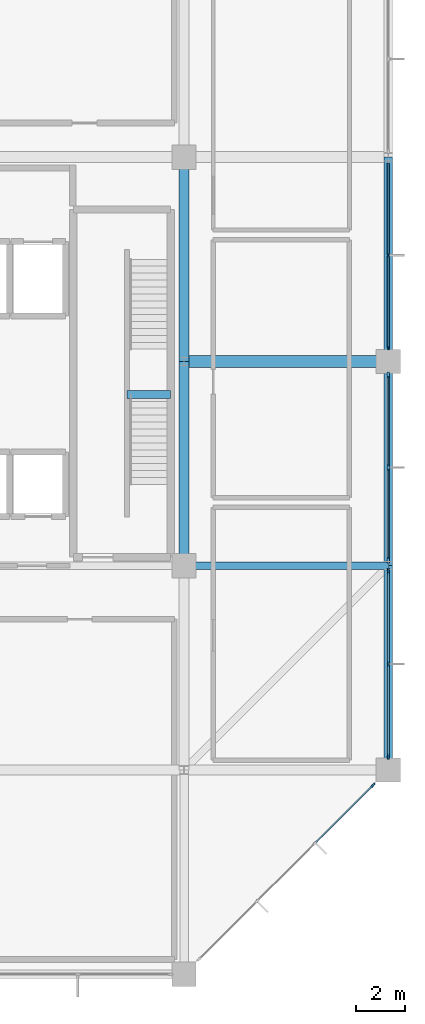
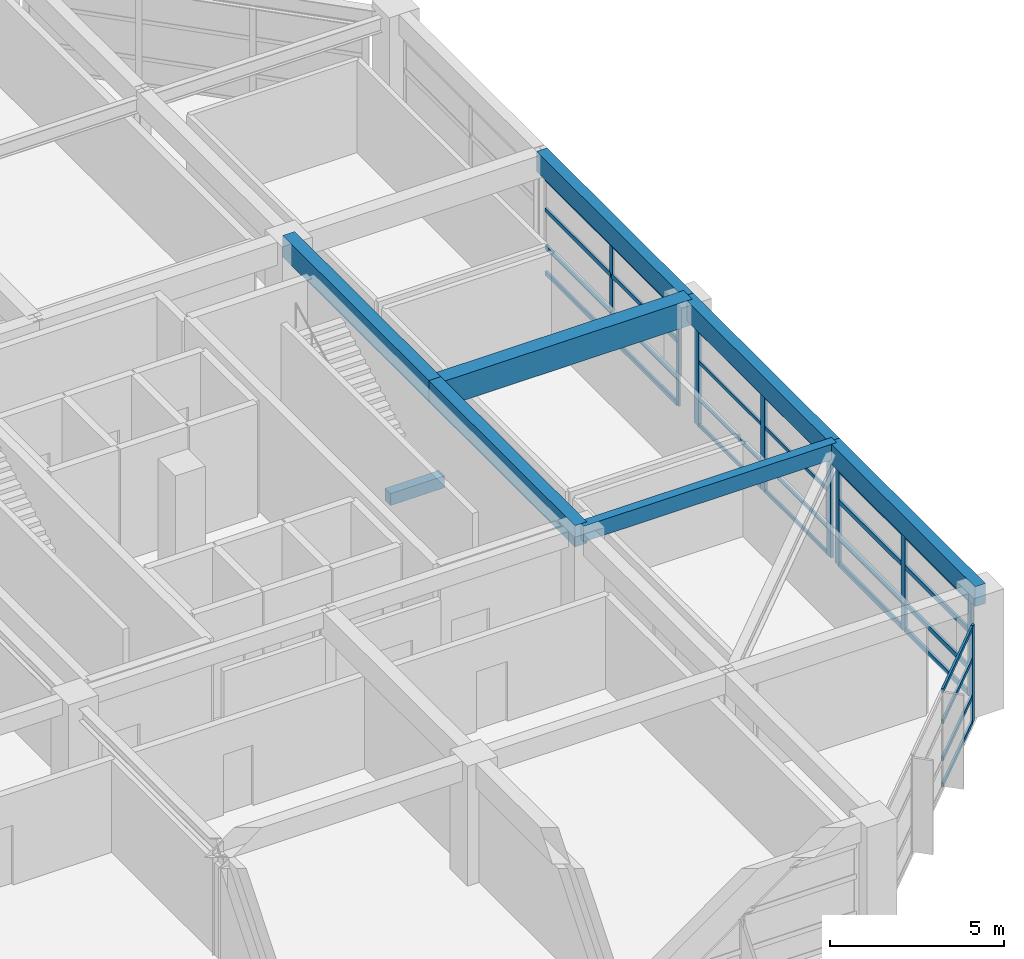
# One storey, part 6 of 15: 37 members, 8 beams, 4 elements without a shape of their own.
"""IFC4 building model written with IfcOpenShell, lengths in metres."""

import ifcopenshell
import ifcopenshell.guid

model = None  # the IFC model being written
_history = None  # IfcOwnerHistory: only IFC2X3 demands one
_inside = {}  # id of a spatial element -> (the spatial element, [elements in it])
_under = {}  # id of a project, library or spatial element -> (it, [spatial elements below it])
_declared = {}  # id of a project -> (the project, [libraries it declares])
_typed = {}  # id of a type object -> (the type object, [elements of that type])
_made_of = {}  # id of a material, layer set ... -> (it, [elements and type objects made of it])


def new_model(schema):
    """Start an empty IFC model of exactly this schema.

    Asked for "IFC4X3", IfcOpenShell would pick the latest addendum, in which some entities
    have other attributes; the version numbers below select the first issue.
    IFC2X3 requires an IfcOwnerHistory on every rooted entity: one is made here for all.
    """
    global model, _history
    if schema == "IFC4X3":
        model = ifcopenshell.file(schema_version=(4, 3, 0, 0))
    else:
        model = ifcopenshell.file(schema=schema)
    _inside.clear()
    _under.clear()
    _declared.clear()
    _typed.clear()
    _made_of.clear()
    _history = None
    if model.schema == "IFC2X3":
        org = make("IfcOrganization", Name="unknown")
        user = make(
            "IfcPersonAndOrganization",
            ThePerson=make("IfcPerson", FamilyName="unknown"),
            TheOrganization=org,
        )
        app = make(
            "IfcApplication",
            ApplicationDeveloper=org,
            Version="unknown",
            ApplicationFullName="unknown",
            ApplicationIdentifier="unknown",
        )
        _history = make(
            "IfcOwnerHistory",
            OwningUser=user,
            OwningApplication=app,
            ChangeAction="ADDED",
            CreationDate=0,
        )
    return model


def make(cls, **values):
    """One entity of the class cls with the attributes given. An attribute that is None is left unset."""
    return model.create_entity(
        cls, **{name: value for name, value in values.items() if value is not None}
    )


def rooted(cls, **values):
    """An entity with a GlobalId (a new one), such as an element, a storey or a relation."""
    return make(cls, GlobalId=ifcopenshell.guid.new(), OwnerHistory=_history, **values)


def si_unit(unit_type, name, prefix=None):
    """IfcSIUnit, for example si_unit("LENGTHUNIT", "METRE", prefix="MILLI")."""
    return make("IfcSIUnit", UnitType=unit_type, Prefix=prefix, Name=name)


def assignment(units):
    """IfcUnitAssignment: the units of a project."""
    return None if units is None else make("IfcUnitAssignment", Units=units)


def point(xyz):
    """IfcCartesianPoint."""
    return None if xyz is None else make("IfcCartesianPoint", Coordinates=xyz)


def direction(xyz):
    """IfcDirection."""
    return None if xyz is None else make("IfcDirection", DirectionRatios=xyz)


def frame(location, z_axis=None, x_axis=None):
    """IfcAxis2Placement3D, a coordinate frame: its origin and axes. An axis left out is left unset."""
    return make(
        "IfcAxis2Placement3D",
        Location=point(location),
        Axis=direction(z_axis),
        RefDirection=direction(x_axis),
    )


def frame_2d(location, x_axis=None):
    """IfcAxis2Placement2D, a coordinate frame in the plane: its origin and x axis."""
    return make(
        "IfcAxis2Placement2D", Location=point(location), RefDirection=direction(x_axis)
    )


def origin():
    """The frame at (0, 0, 0) with its axes left unset."""
    return frame((0.0, 0.0, 0.0))


def origin_2d():
    """The frame at (0, 0) in the plane with its x axis left unset."""
    return frame_2d((0.0, 0.0))


def place(relative_to, where):
    """IfcLocalPlacement: puts the frame where relative to a parent placement (None: the world)."""
    return make(
        "IfcLocalPlacement", PlacementRelTo=relative_to, RelativePlacement=where
    )


def context(
    kind, dimensions, precision=None, world=None, true_north=None, identifier=None
):
    """IfcGeometricRepresentationContext, for example the 3D "Model" context."""
    return make(
        "IfcGeometricRepresentationContext",
        ContextIdentifier=identifier,
        ContextType=kind,
        CoordinateSpaceDimension=dimensions,
        Precision=precision,
        WorldCoordinateSystem=world,
        TrueNorth=true_north,
    )


def subcontext(parent, identifier, kind, view, scale=None):
    """IfcGeometricRepresentationSubContext, for example "Body" below "Model"."""
    return make(
        "IfcGeometricRepresentationSubContext",
        ContextIdentifier=identifier,
        ContextType=kind,
        ParentContext=parent,
        TargetScale=scale,
        TargetView=view,
    )


def project(units=None, contexts=None):
    """IfcProject with its units and contexts."""
    return rooted(
        "IfcProject",
        Name="project",
        RepresentationContexts=contexts,
        UnitsInContext=assignment(units),
    )


def spatial(cls, under=None, at=None, **own):
    """A site, building, storey or space (cls), placed at a placement, below another one or the project."""
    s = rooted(cls, ObjectPlacement=at, **own)
    if under is not None:
        _under.setdefault(under.id(), (under, []))[1].append(s)
    return s


def profile(cls, at=None, kind="AREA", **sizes):
    """A parametric profile (cls). Its sizes go by their IFC names, for example OverallWidth=200.0."""
    return make(cls, ProfileType=kind, Position=at, **sizes)


def rectangle(**sizes):
    """IfcRectangleProfileDef."""
    return profile("IfcRectangleProfileDef", **sizes)


def extrude(swept, where, along, depth):
    """IfcExtrudedAreaSolid: the profile swept, set in the frame where, extruded along a direction by depth."""
    return make(
        "IfcExtrudedAreaSolid",
        SweptArea=swept,
        Position=where,
        ExtrudedDirection=direction(along),
        Depth=depth,
    )


def shape(context_of_items, identifier, shape_type, items):
    """IfcShapeRepresentation: the items that make up one representation, for example the "Body"."""
    return make(
        "IfcShapeRepresentation",
        ContextOfItems=context_of_items,
        RepresentationIdentifier=identifier,
        RepresentationType=shape_type,
        Items=items,
    )


def material(Name=None, Category=None):
    """IfcMaterial."""
    return make("IfcMaterial", Name=Name, Category=Category)


def material_profile(
    of_material, cross_section, Name=None, Category=None, Priority=None
):
    """IfcMaterialProfile: a cross section and its material."""
    return make(
        "IfcMaterialProfile",
        Name=Name,
        Material=of_material,
        Profile=cross_section,
        Priority=Priority,
        Category=Category,
    )


def profile_set(profiles, Name=None, composite=None):
    """IfcMaterialProfileSet."""
    return make(
        "IfcMaterialProfileSet",
        Name=Name,
        MaterialProfiles=profiles,
        CompositeProfile=composite,
    )


def made_of(thing, what):
    """Note that an element or type object is made of a material, layer set ...; save() writes the relation."""
    if what is not None:
        _made_of.setdefault(what.id(), (what, []))[1].append(thing)
    return thing


def type_object(cls, material=None, **own):
    """A type object (cls), such as IfcWallType, which elements share."""
    return made_of(rooted(cls, **own), material)


def element(
    cls,
    number,
    at=None,
    inside=None,
    cuts=None,
    type_object=None,
    material=None,
    context=None,
    identifier="Body",
    shape_type=None,
    held_by="IfcProductDefinitionShape",
    body=None,
    shapes=None,
    **own,
):
    """One element of the class cls, such as IfcWall. Its Tag is "e" and its number.

    at: its placement. inside: the storey or other place that contains it. cuts: it is an
    opening in that element (IfcRelVoidsElement). A single representation is given by context,
    identifier, shape_type and body (its items); several are given by shapes. held_by: the class
    of the entity that holds the representations. save() writes the other relations.
    """
    e = rooted(cls, Tag="e%d" % number, ObjectPlacement=at, **own)
    if body is not None:
        shapes = [shape(context, identifier, shape_type, body)]
    if shapes is not None:
        e.Representation = make(held_by, Representations=shapes)
    if inside is not None:
        _inside.setdefault(inside.id(), (inside, []))[1].append(e)
    if cuts is not None:
        rooted(
            "IfcRelVoidsElement", RelatingBuildingElement=cuts, RelatedOpeningElement=e
        )
    if type_object is not None:
        _typed.setdefault(type_object.id(), (type_object, []))[1].append(e)
    return made_of(e, material)


def aggregate(whole, parts):
    """IfcRelAggregates: a whole, such as a stair, and the parts it consists of."""
    return rooted("IfcRelAggregates", RelatingObject=whole, RelatedObjects=parts)


def save(model, path):
    """Write the relations noted so far, then the file.

    IfcRelAggregates (storeys below a building ...), IfcRelContainedInSpatialStructure (elements
    in a storey), IfcRelDefinesByType, IfcRelAssociatesMaterial and IfcRelDeclares: one each for
    every whole, place, type object, material and project.
    """
    for whole, parts in _under.values():
        aggregate(whole, parts)
    for where, things in _inside.values():
        rooted(
            "IfcRelContainedInSpatialStructure",
            RelatedElements=things,
            RelatingStructure=where,
        )
    for kind, things in _typed.values():
        rooted("IfcRelDefinesByType", RelatedObjects=things, RelatingType=kind)
    for what, things in _made_of.values():
        rooted("IfcRelAssociatesMaterial", RelatedObjects=things, RelatingMaterial=what)
    for by, libraries in _declared.values():
        rooted("IfcRelDeclares", RelatingContext=by, RelatedDefinitions=libraries)
    model.write(path)


model = new_model("IFC4")

# Units and contexts
model_context = context("Model", 3, precision=1e-05, world=origin(), true_north=direction((0.0, 1.0)))
body_context = subcontext(model_context, "Body", "Model", "MODEL_VIEW")
ifc_project = project(units=[si_unit("LENGTHUNIT", "METRE"), si_unit("AREAUNIT", "SQUARE_METRE"), si_unit("VOLUMEUNIT", "CUBIC_METRE"), si_unit("PLANEANGLEUNIT", "RADIAN"), si_unit("MASSUNIT", "GRAM", prefix="KILO")], contexts=[model_context])

# Site, building, storey
site_placement = place(None, origin())
site = spatial("IfcSite", under=ifc_project, at=site_placement, CompositionType="ELEMENT")
building_placement = place(site_placement, origin())
building = spatial("IfcBuilding", under=site, at=building_placement, Name="Xuanlan Plaza Opera House", CompositionType="ELEMENT")
storey_placement = place(building_placement, frame((0.0, 0.0, 53.10009765625)))
storey = spatial("IfcBuildingStorey", under=building, at=storey_placement, Name="L12", CompositionType="ELEMENT", Elevation=53.10009765625)

# Curtain wall, members
ifc_material_1 = material(Name="Anodised Aluminium 6063-T6 and Low-E Glass", Category="aluminium")
curtain_wall_type_1 = type_object("IfcCurtainWallType", Name="ENV-CW-CW-01", PredefinedType="USERDEFINED", material=ifc_material_1)
curtain_wall_1_placement = place(storey_placement, origin())
curtain_wall_1 = element("IfcCurtainWall", 1, at=curtain_wall_1_placement, inside=storey, type_object=curtain_wall_type_1, Name="Unitised Curtain Wall L12-007", ObjectType="UNITISED CURTAIN WALL", PredefinedType="USERDEFINED")
ifc_material_2 = material(Name="Anodised Aluminium 6063-T6", Category="aluminium")
ifc_material_profile_1 = material_profile(ifc_material_2, rectangle(XDim=0.06494140625, YDim=0.159912109375, at=origin_2d()), Name="ALU-M 65x160")
ifc_profile_set_1 = profile_set([ifc_material_profile_1], Name="Anodised Aluminium 6063-T6")
member_type_1 = type_object("IfcMemberType", Name="ENV-CWM-01", PredefinedType="MULLION", material=ifc_profile_set_1)
member_1_placement = place(storey_placement, frame((159.60009765625, 59.3525390625, 0.0), z_axis=(0.0, 0.0, 1.0), x_axis=(-1.0, 0.0, 0.0)))
member_1 = element("IfcMember", 2, at=member_1_placement, type_object=member_type_1, Name="CW-01 mullion 1", PredefinedType="MULLION", context=body_context, shape_type="SweptSolid", body=[
    extrude(rectangle(XDim=0.06494140625, YDim=0.159912109375, at=origin_2d()), origin(), (0.0, 0.0, 1.0), 3.3798828125),
])
member_2_placement = place(storey_placement, frame((159.60009765625, 63.16259765625, 0.0), z_axis=(0.0, 0.0, 1.0), x_axis=(-1.0, 0.0, 0.0)))
member_2 = element("IfcMember", 3, at=member_2_placement, type_object=member_type_1, Name="CW-01 mullion 2", PredefinedType="MULLION", context=body_context, shape_type="SweptSolid", body=[
    extrude(rectangle(XDim=0.06494140625, YDim=0.159912109375, at=origin_2d()), origin(), (0.0, 0.0, 1.0), 3.3798828125),
])

# Curtain wall, member
curtain_wall_type_2 = type_object("IfcCurtainWallType", Name="ENV-CW-CW-02", PredefinedType="USERDEFINED", material=ifc_material_1)
curtain_wall_2_placement = place(storey_placement, origin())
curtain_wall_2 = element("IfcCurtainWall", 4, at=curtain_wall_2_placement, inside=storey, type_object=curtain_wall_type_2, Name="Unitised Curtain Wall L12-004", ObjectType="UNITISED CURTAIN WALL", PredefinedType="USERDEFINED")
ifc_material_profile_2 = material_profile(ifc_material_2, rectangle(XDim=0.074951171875, YDim=0.199951171875, at=origin_2d()), Name="ALU-M 75x200")
ifc_profile_set_2 = profile_set([ifc_material_profile_2], Name="Anodised Aluminium 6063-T6")
member_type_2 = type_object("IfcMemberType", Name="ENV-CWM-03", PredefinedType="MULLION", material=ifc_profile_set_2)
member_3_placement = place(storey_placement, frame((158.974365234375, 41.37451171875, 0.0), z_axis=(0.0, 0.0, 1.0), x_axis=(-0.707106781187, 0.707106781187, 0.0)))
member_3 = element("IfcMember", 5, at=member_3_placement, type_object=member_type_2, Name="CW-02 mullion 4", PredefinedType="MULLION", context=body_context, shape_type="SweptSolid", body=[
    extrude(rectangle(XDim=0.074951171875, YDim=0.199951171875, at=origin_2d()), origin(), (0.0, 0.0, 1.0), 3.3798828125),
])

# Curtain wall, members
curtain_wall_type_3 = type_object("IfcCurtainWallType", Name="ENV-CW-CW-03", PredefinedType="USERDEFINED", material=ifc_material_1)
curtain_wall_3_placement = place(storey_placement, origin())
curtain_wall_3 = element("IfcCurtainWall", 6, at=curtain_wall_3_placement, inside=storey, type_object=curtain_wall_type_3, Name="Unitised Curtain Wall L12-005", ObjectType="UNITISED CURTAIN WALL", PredefinedType="USERDEFINED")
ifc_material_profile_3 = material_profile(ifc_material_2, rectangle(XDim=0.080078125, YDim=0.219970703125, at=origin_2d()), Name="ALU-M 80x220")
ifc_profile_set_3 = profile_set([ifc_material_profile_3], Name="Anodised Aluminium 6063-T6")
member_type_3 = type_object("IfcMemberType", Name="ENV-CWM-04", PredefinedType="MULLION", material=ifc_profile_set_3)
member_4_placement = place(storey_placement, frame((159.60009765625, 42.56005859375, 0.0), z_axis=(0.0, 0.0, 1.0), x_axis=(-1.0, 0.0, 0.0)))
member_4 = element("IfcMember", 7, at=member_4_placement, type_object=member_type_3, Name="CW-03 mullion 1", PredefinedType="MULLION", context=body_context, shape_type="SweptSolid", body=[
    extrude(rectangle(XDim=0.080078125, YDim=0.219970703125, at=origin_2d()), origin(), (0.0, 0.0, 1.0), 3.3798828125),
])
member_5_placement = place(storey_placement, frame((159.60009765625, 46.362548828125, 0.0), z_axis=(0.0, 0.0, 1.0), x_axis=(-1.0, 0.0, 0.0)))
member_5 = element("IfcMember", 8, at=member_5_placement, type_object=member_type_3, Name="CW-03 mullion 2", PredefinedType="MULLION", context=body_context, shape_type="SweptSolid", body=[
    extrude(rectangle(XDim=0.080078125, YDim=0.219970703125, at=origin_2d()), origin(), (0.0, 0.0, 1.0), 3.3798828125),
])
member_6_placement = place(storey_placement, frame((159.60009765625, 50.1650390625, 0.0), z_axis=(0.0, 0.0, 1.0), x_axis=(-1.0, 0.0, 0.0)))
member_6 = element("IfcMember", 9, at=member_6_placement, type_object=member_type_3, Name="CW-03 mullion 3", PredefinedType="MULLION", context=body_context, shape_type="SweptSolid", body=[
    extrude(rectangle(XDim=0.080078125, YDim=0.219970703125, at=origin_2d()), origin(), (0.0, 0.0, 1.0), 3.3798828125),
])

curtain_wall_type_4 = type_object("IfcCurtainWallType", Name="ENV-CW-CW-04", PredefinedType="USERDEFINED", material=ifc_material_1)
curtain_wall_4_placement = place(storey_placement, origin())
curtain_wall_4 = element("IfcCurtainWall", 10, at=curtain_wall_4_placement, inside=storey, type_object=curtain_wall_type_4, Name="Unitised Curtain Wall L12-006", ObjectType="UNITISED CURTAIN WALL", PredefinedType="USERDEFINED")
ifc_material_profile_4 = material_profile(ifc_material_2, rectangle(XDim=0.090087890625, YDim=0.25, at=origin_2d()), Name="ALU-M 90x250")
ifc_profile_set_4 = profile_set([ifc_material_profile_4], Name="Anodised Aluminium 6063-T6")
member_type_4 = type_object("IfcMemberType", Name="ENV-CWM-05", PredefinedType="MULLION", material=ifc_profile_set_4)
member_7_placement = place(storey_placement, frame((159.60009765625, 50.639892578125, 0.0), z_axis=(0.0, 0.0, 1.0), x_axis=(-1.0, 0.0, 0.0)))
member_7 = element("IfcMember", 11, at=member_7_placement, type_object=member_type_4, Name="CW-04 mullion 1", PredefinedType="MULLION", context=body_context, shape_type="SweptSolid", body=[
    extrude(rectangle(XDim=0.090087890625, YDim=0.25, at=origin_2d()), origin(), (0.0, 0.0, 1.0), 3.3798828125),
])
member_8_placement = place(storey_placement, frame((159.60009765625, 54.4375, 0.0), z_axis=(0.0, 0.0, 1.0), x_axis=(-1.0, 0.0, 0.0)))
member_8 = element("IfcMember", 12, at=member_8_placement, type_object=member_type_4, Name="CW-04 mullion 2", PredefinedType="MULLION", context=body_context, shape_type="SweptSolid", body=[
    extrude(rectangle(XDim=0.090087890625, YDim=0.25, at=origin_2d()), origin(), (0.0, 0.0, 1.0), 3.3798828125),
])
member_9_placement = place(storey_placement, frame((159.60009765625, 58.235107421875, 0.0), z_axis=(0.0, 0.0, 1.0), x_axis=(-1.0, 0.0, 0.0)))
member_9 = element("IfcMember", 13, at=member_9_placement, type_object=member_type_4, Name="CW-04 mullion 3", PredefinedType="MULLION", context=body_context, shape_type="SweptSolid", body=[
    extrude(rectangle(XDim=0.090087890625, YDim=0.25, at=origin_2d()), origin(), (0.0, 0.0, 1.0), 3.3798828125),
])
ifc_material_profile_5 = material_profile(ifc_material_2, rectangle(XDim=0.06494140625, YDim=0.1201171875, at=origin_2d()), Name="ALU-T 65x120")
ifc_profile_set_5 = profile_set([ifc_material_profile_5], Name="Anodised Aluminium 6063-T6")
member_type_5 = type_object("IfcMemberType", Name="ENV-CWT-01", PredefinedType="USERDEFINED", material=ifc_profile_set_5)
member_10_placement = place(storey_placement, frame((159.60009765625, 50.68505859375, 0.032470703125), z_axis=(0.0, 1.0, 0.0), x_axis=(-1.0, 0.0, 0.0)))
member_10 = element("IfcMember", 14, at=member_10_placement, type_object=member_type_5, Name="CW-04 transom 1.1", ObjectType="TRANSOM", PredefinedType="USERDEFINED", context=body_context, shape_type="SweptSolid", body=[
    extrude(rectangle(XDim=0.06494140625, YDim=0.1201171875, at=origin_2d()), origin(), (0.0, 0.0, 1.0), 3.70751953125),
])
member_11_placement = place(storey_placement, frame((159.60009765625, 50.68505859375, 0.949951171875), z_axis=(0.0, 1.0, 0.0), x_axis=(-1.0, 0.0, 0.0)))
member_11 = element("IfcMember", 15, at=member_11_placement, type_object=member_type_5, Name="CW-04 transom 1.2", ObjectType="TRANSOM", PredefinedType="USERDEFINED", context=body_context, shape_type="SweptSolid", body=[
    extrude(rectangle(XDim=0.06494140625, YDim=0.1201171875, at=origin_2d()), origin(), (0.0, 0.0, 1.0), 3.70751953125),
])
member_12_placement = place(storey_placement, frame((159.60009765625, 50.68505859375, 2.25), z_axis=(0.0, 1.0, 0.0), x_axis=(-1.0, 0.0, 0.0)))
member_12 = element("IfcMember", 16, at=member_12_placement, type_object=member_type_5, Name="CW-04 transom 1.3", ObjectType="TRANSOM", PredefinedType="USERDEFINED", context=body_context, shape_type="SweptSolid", body=[
    extrude(rectangle(XDim=0.06494140625, YDim=0.1201171875, at=origin_2d()), origin(), (0.0, 0.0, 1.0), 3.70751953125),
])
member_13_placement = place(storey_placement, frame((159.60009765625, 50.68505859375, 3.347412109375), z_axis=(0.0, 1.0, 0.0), x_axis=(-1.0, 0.0, 0.0)))
member_13 = element("IfcMember", 17, at=member_13_placement, type_object=member_type_5, Name="CW-04 transom 1.4", ObjectType="TRANSOM", PredefinedType="USERDEFINED", context=body_context, shape_type="SweptSolid", body=[
    extrude(rectangle(XDim=0.06494140625, YDim=0.1201171875, at=origin_2d()), origin(), (0.0, 0.0, 1.0), 3.70751953125),
])
member_14_placement = place(storey_placement, frame((159.60009765625, 54.482421875, 0.032470703125), z_axis=(0.0, 1.0, 0.0), x_axis=(-1.0, 0.0, 0.0)))
member_14 = element("IfcMember", 18, at=member_14_placement, type_object=member_type_5, Name="CW-04 transom 2.1", ObjectType="TRANSOM", PredefinedType="USERDEFINED", context=body_context, shape_type="SweptSolid", body=[
    extrude(rectangle(XDim=0.06494140625, YDim=0.1201171875, at=origin_2d()), origin(), (0.0, 0.0, 1.0), 3.70751953125),
])
member_15_placement = place(storey_placement, frame((159.60009765625, 54.482421875, 0.949951171875), z_axis=(0.0, 1.0, 0.0), x_axis=(-1.0, 0.0, 0.0)))
member_15 = element("IfcMember", 19, at=member_15_placement, type_object=member_type_5, Name="CW-04 transom 2.2", ObjectType="TRANSOM", PredefinedType="USERDEFINED", context=body_context, shape_type="SweptSolid", body=[
    extrude(rectangle(XDim=0.06494140625, YDim=0.1201171875, at=origin_2d()), origin(), (0.0, 0.0, 1.0), 3.70751953125),
])
member_16_placement = place(storey_placement, frame((159.60009765625, 54.482421875, 2.25), z_axis=(0.0, 1.0, 0.0), x_axis=(-1.0, 0.0, 0.0)))
member_16 = element("IfcMember", 20, at=member_16_placement, type_object=member_type_5, Name="CW-04 transom 2.3", ObjectType="TRANSOM", PredefinedType="USERDEFINED", context=body_context, shape_type="SweptSolid", body=[
    extrude(rectangle(XDim=0.06494140625, YDim=0.1201171875, at=origin_2d()), origin(), (0.0, 0.0, 1.0), 3.70751953125),
])
member_17_placement = place(storey_placement, frame((159.60009765625, 54.482421875, 3.347412109375), z_axis=(0.0, 1.0, 0.0), x_axis=(-1.0, 0.0, 0.0)))
member_17 = element("IfcMember", 21, at=member_17_placement, type_object=member_type_5, Name="CW-04 transom 2.4", ObjectType="TRANSOM", PredefinedType="USERDEFINED", context=body_context, shape_type="SweptSolid", body=[
    extrude(rectangle(XDim=0.06494140625, YDim=0.1201171875, at=origin_2d()), origin(), (0.0, 0.0, 1.0), 3.70751953125),
])
aggregate(curtain_wall_4, [member_7, member_8, member_9, member_10, member_11, member_12, member_13, member_14, member_15, member_16, member_17])

# Member
ifc_material_profile_6 = material_profile(ifc_material_2, rectangle(XDim=0.070068359375, YDim=0.135009765625, at=origin_2d()), Name="ALU-T 70x135")
ifc_profile_set_6 = profile_set([ifc_material_profile_6], Name="Anodised Aluminium 6063-T6")
member_type_6 = type_object("IfcMemberType", Name="ENV-CWT-02", PredefinedType="USERDEFINED", material=ifc_profile_set_6)
member_18_placement = place(storey_placement, frame((156.626953125, 39.02685546875, 0.034912109375), z_axis=(0.707106781187, 0.707106781187, 0.0), x_axis=(-0.707106781187, 0.707106781187, 0.0)))
member_18 = element("IfcMember", 22, at=member_18_placement, type_object=member_type_6, Name="CW-02 transom 3.1", ObjectType="TRANSOM", PredefinedType="USERDEFINED", context=body_context, shape_type="SweptSolid", body=[
    extrude(rectangle(XDim=0.070068359375, YDim=0.135009765625, at=origin_2d()), origin(), (0.0, 0.0, 1.0), 3.282470703125),
])

member_19_placement = place(storey_placement, frame((156.626953125, 39.02685546875, 0.949951171875), z_axis=(0.707106781187, 0.707106781187, 0.0), x_axis=(-0.707106781187, 0.707106781187, 0.0)))
member_19 = element("IfcMember", 23, at=member_19_placement, type_object=member_type_6, Name="CW-02 transom 3.2", ObjectType="TRANSOM", PredefinedType="USERDEFINED", context=body_context, shape_type="SweptSolid", body=[
    extrude(rectangle(XDim=0.070068359375, YDim=0.135009765625, at=origin_2d()), origin(), (0.0, 0.0, 1.0), 3.282470703125),
])

member_20_placement = place(storey_placement, frame((156.626953125, 39.02685546875, 2.25), z_axis=(0.707106781187, 0.707106781187, 0.0), x_axis=(-0.707106781187, 0.707106781187, 0.0)))
member_20 = element("IfcMember", 24, at=member_20_placement, type_object=member_type_6, Name="CW-02 transom 3.3", ObjectType="TRANSOM", PredefinedType="USERDEFINED", context=body_context, shape_type="SweptSolid", body=[
    extrude(rectangle(XDim=0.070068359375, YDim=0.135009765625, at=origin_2d()), origin(), (0.0, 0.0, 1.0), 3.282470703125),
])

member_21_placement = place(storey_placement, frame((156.626953125, 39.02685546875, 3.344970703125), z_axis=(0.707106781187, 0.707106781187, 0.0), x_axis=(-0.707106781187, 0.707106781187, 0.0)))
member_21 = element("IfcMember", 25, at=member_21_placement, type_object=member_type_6, Name="CW-02 transom 3.4", ObjectType="TRANSOM", PredefinedType="USERDEFINED", context=body_context, shape_type="SweptSolid", body=[
    extrude(rectangle(XDim=0.070068359375, YDim=0.135009765625, at=origin_2d()), origin(), (0.0, 0.0, 1.0), 3.282470703125),
])

aggregate(curtain_wall_2, [member_3, member_18, member_19, member_20, member_21])

ifc_material_profile_7 = material_profile(ifc_material_2, rectangle(XDim=0.074951171875, YDim=0.14990234375, at=origin_2d()), Name="ALU-T 75x150")
ifc_profile_set_7 = profile_set([ifc_material_profile_7], Name="Anodised Aluminium 6063-T6")
member_type_7 = type_object("IfcMemberType", Name="ENV-CWT-03", PredefinedType="USERDEFINED", material=ifc_profile_set_7)
member_22_placement = place(storey_placement, frame((159.60009765625, 59.385009765625, 0.037353515625), z_axis=(0.0, 1.0, 0.0), x_axis=(-1.0, 0.0, 0.0)))
member_22 = element("IfcMember", 26, at=member_22_placement, type_object=member_type_7, Name="CW-01 transom 1.1", ObjectType="TRANSOM", PredefinedType="USERDEFINED", context=body_context, shape_type="SweptSolid", body=[
    extrude(rectangle(XDim=0.074951171875, YDim=0.14990234375, at=origin_2d()), origin(), (0.0, 0.0, 1.0), 3.744873046875),
])

member_23_placement = place(storey_placement, frame((159.60009765625, 59.385009765625, 0.949951171875), z_axis=(0.0, 1.0, 0.0), x_axis=(-1.0, 0.0, 0.0)))
member_23 = element("IfcMember", 27, at=member_23_placement, type_object=member_type_7, Name="CW-01 transom 1.2", ObjectType="TRANSOM", PredefinedType="USERDEFINED", context=body_context, shape_type="SweptSolid", body=[
    extrude(rectangle(XDim=0.074951171875, YDim=0.14990234375, at=origin_2d()), origin(), (0.0, 0.0, 1.0), 3.744873046875),
])

member_24_placement = place(storey_placement, frame((159.60009765625, 59.385009765625, 2.25), z_axis=(0.0, 1.0, 0.0), x_axis=(-1.0, 0.0, 0.0)))
member_24 = element("IfcMember", 28, at=member_24_placement, type_object=member_type_7, Name="CW-01 transom 1.3", ObjectType="TRANSOM", PredefinedType="USERDEFINED", context=body_context, shape_type="SweptSolid", body=[
    extrude(rectangle(XDim=0.074951171875, YDim=0.14990234375, at=origin_2d()), origin(), (0.0, 0.0, 1.0), 3.744873046875),
])

member_25_placement = place(storey_placement, frame((159.60009765625, 59.385009765625, 3.34228515625), z_axis=(0.0, 1.0, 0.0), x_axis=(-1.0, 0.0, 0.0)))
member_25 = element("IfcMember", 29, at=member_25_placement, type_object=member_type_7, Name="CW-01 transom 1.4", ObjectType="TRANSOM", PredefinedType="USERDEFINED", context=body_context, shape_type="SweptSolid", body=[
    extrude(rectangle(XDim=0.074951171875, YDim=0.14990234375, at=origin_2d()), origin(), (0.0, 0.0, 1.0), 3.744873046875),
])

member_26_placement = place(storey_placement, frame((159.60009765625, 63.195068359375, 0.037353515625), z_axis=(0.0, 1.0, 0.0), x_axis=(-1.0, 0.0, 0.0)))
member_26 = element("IfcMember", 30, at=member_26_placement, type_object=member_type_7, Name="CW-01 transom 2.1", ObjectType="TRANSOM", PredefinedType="USERDEFINED", context=body_context, shape_type="SweptSolid", body=[
    extrude(rectangle(XDim=0.074951171875, YDim=0.14990234375, at=origin_2d()), origin(), (0.0, 0.0, 1.0), 3.744873046875),
])

member_27_placement = place(storey_placement, frame((159.60009765625, 63.195068359375, 0.949951171875), z_axis=(0.0, 1.0, 0.0), x_axis=(-1.0, 0.0, 0.0)))
member_27 = element("IfcMember", 31, at=member_27_placement, type_object=member_type_7, Name="CW-01 transom 2.2", ObjectType="TRANSOM", PredefinedType="USERDEFINED", context=body_context, shape_type="SweptSolid", body=[
    extrude(rectangle(XDim=0.074951171875, YDim=0.14990234375, at=origin_2d()), origin(), (0.0, 0.0, 1.0), 3.744873046875),
])

member_28_placement = place(storey_placement, frame((159.60009765625, 63.195068359375, 2.25), z_axis=(0.0, 1.0, 0.0), x_axis=(-1.0, 0.0, 0.0)))
member_28 = element("IfcMember", 32, at=member_28_placement, type_object=member_type_7, Name="CW-01 transom 2.3", ObjectType="TRANSOM", PredefinedType="USERDEFINED", context=body_context, shape_type="SweptSolid", body=[
    extrude(rectangle(XDim=0.074951171875, YDim=0.14990234375, at=origin_2d()), origin(), (0.0, 0.0, 1.0), 3.744873046875),
])

member_29_placement = place(storey_placement, frame((159.60009765625, 63.195068359375, 3.34228515625), z_axis=(0.0, 1.0, 0.0), x_axis=(-1.0, 0.0, 0.0)))
member_29 = element("IfcMember", 33, at=member_29_placement, type_object=member_type_7, Name="CW-01 transom 2.4", ObjectType="TRANSOM", PredefinedType="USERDEFINED", context=body_context, shape_type="SweptSolid", body=[
    extrude(rectangle(XDim=0.074951171875, YDim=0.14990234375, at=origin_2d()), origin(), (0.0, 0.0, 1.0), 3.744873046875),
])

aggregate(curtain_wall_1, [member_1, member_2, member_22, member_23, member_24, member_25, member_26, member_27, member_28, member_29])

ifc_material_profile_8 = material_profile(ifc_material_2, rectangle(XDim=0.080078125, YDim=0.1650390625, at=origin_2d()), Name="ALU-T 80x165")
ifc_profile_set_8 = profile_set([ifc_material_profile_8], Name="Anodised Aluminium 6063-T6")
member_type_8 = type_object("IfcMemberType", Name="ENV-CWT-04", PredefinedType="USERDEFINED", material=ifc_profile_set_8)
member_30_placement = place(storey_placement, frame((159.60009765625, 42.60009765625, 0.039794921875), z_axis=(0.0, 1.0, 0.0), x_axis=(-1.0, 0.0, 0.0)))
member_30 = element("IfcMember", 34, at=member_30_placement, type_object=member_type_8, Name="CW-03 transom 1.1", ObjectType="TRANSOM", PredefinedType="USERDEFINED", context=body_context, shape_type="SweptSolid", body=[
    extrude(rectangle(XDim=0.080078125, YDim=0.1650390625, at=origin_2d()), origin(), (0.0, 0.0, 1.0), 3.722412109375),
])

member_31_placement = place(storey_placement, frame((159.60009765625, 42.60009765625, 0.949951171875), z_axis=(0.0, 1.0, 0.0), x_axis=(-1.0, 0.0, 0.0)))
member_31 = element("IfcMember", 35, at=member_31_placement, type_object=member_type_8, Name="CW-03 transom 1.2", ObjectType="TRANSOM", PredefinedType="USERDEFINED", context=body_context, shape_type="SweptSolid", body=[
    extrude(rectangle(XDim=0.080078125, YDim=0.1650390625, at=origin_2d()), origin(), (0.0, 0.0, 1.0), 3.722412109375),
])

member_32_placement = place(storey_placement, frame((159.60009765625, 42.60009765625, 2.25), z_axis=(0.0, 1.0, 0.0), x_axis=(-1.0, 0.0, 0.0)))
member_32 = element("IfcMember", 36, at=member_32_placement, type_object=member_type_8, Name="CW-03 transom 1.3", ObjectType="TRANSOM", PredefinedType="USERDEFINED", context=body_context, shape_type="SweptSolid", body=[
    extrude(rectangle(XDim=0.080078125, YDim=0.1650390625, at=origin_2d()), origin(), (0.0, 0.0, 1.0), 3.722412109375),
])

member_33_placement = place(storey_placement, frame((159.60009765625, 42.60009765625, 3.33984375), z_axis=(0.0, 1.0, 0.0), x_axis=(-1.0, 0.0, 0.0)))
member_33 = element("IfcMember", 37, at=member_33_placement, type_object=member_type_8, Name="CW-03 transom 1.4", ObjectType="TRANSOM", PredefinedType="USERDEFINED", context=body_context, shape_type="SweptSolid", body=[
    extrude(rectangle(XDim=0.080078125, YDim=0.1650390625, at=origin_2d()), origin(), (0.0, 0.0, 1.0), 3.722412109375),
])

member_34_placement = place(storey_placement, frame((159.60009765625, 46.402587890625, 0.039794921875), z_axis=(0.0, 1.0, 0.0), x_axis=(-1.0, 0.0, 0.0)))
member_34 = element("IfcMember", 38, at=member_34_placement, type_object=member_type_8, Name="CW-03 transom 2.1", ObjectType="TRANSOM", PredefinedType="USERDEFINED", context=body_context, shape_type="SweptSolid", body=[
    extrude(rectangle(XDim=0.080078125, YDim=0.1650390625, at=origin_2d()), origin(), (0.0, 0.0, 1.0), 3.722412109375),
])

member_35_placement = place(storey_placement, frame((159.60009765625, 46.402587890625, 0.949951171875), z_axis=(0.0, 1.0, 0.0), x_axis=(-1.0, 0.0, 0.0)))
member_35 = element("IfcMember", 39, at=member_35_placement, type_object=member_type_8, Name="CW-03 transom 2.2", ObjectType="TRANSOM", PredefinedType="USERDEFINED", context=body_context, shape_type="SweptSolid", body=[
    extrude(rectangle(XDim=0.080078125, YDim=0.1650390625, at=origin_2d()), origin(), (0.0, 0.0, 1.0), 3.722412109375),
])

member_36_placement = place(storey_placement, frame((159.60009765625, 46.402587890625, 2.25), z_axis=(0.0, 1.0, 0.0), x_axis=(-1.0, 0.0, 0.0)))
member_36 = element("IfcMember", 40, at=member_36_placement, type_object=member_type_8, Name="CW-03 transom 2.3", ObjectType="TRANSOM", PredefinedType="USERDEFINED", context=body_context, shape_type="SweptSolid", body=[
    extrude(rectangle(XDim=0.080078125, YDim=0.1650390625, at=origin_2d()), origin(), (0.0, 0.0, 1.0), 3.722412109375),
])

member_37_placement = place(storey_placement, frame((159.60009765625, 46.402587890625, 3.33984375), z_axis=(0.0, 1.0, 0.0), x_axis=(-1.0, 0.0, 0.0)))
member_37 = element("IfcMember", 41, at=member_37_placement, type_object=member_type_8, Name="CW-03 transom 2.4", ObjectType="TRANSOM", PredefinedType="USERDEFINED", context=body_context, shape_type="SweptSolid", body=[
    extrude(rectangle(XDim=0.080078125, YDim=0.1650390625, at=origin_2d()), origin(), (0.0, 0.0, 1.0), 3.722412109375),
])

aggregate(curtain_wall_3, [member_4, member_5, member_6, member_30, member_31, member_32, member_33, member_34, member_35, member_36, member_37])

# Beams
ifc_material_3 = material(Name="Concrete C40", Category="concrete")
ifc_material_profile_9 = material_profile(ifc_material_3, rectangle(XDim=0.5, YDim=0.89990234375, at=origin_2d()), Name="RC-BM 500x900")
ifc_profile_set_9 = profile_set([ifc_material_profile_9], Name="Concrete C40")
beam_type_1 = type_object("IfcBeamType", Name="STR-BM-B-03", PredefinedType="BEAM", material=ifc_profile_set_9)
beam_1_placement = place(storey_placement, frame((151.199951171875, 58.800048828125, 3.75), z_axis=(1.0, 0.0, 0.0), x_axis=(0.0, 1.0, 0.0)))
element("IfcBeam", 42, at=beam_1_placement, inside=storey, type_object=beam_type_1, Name="Grid Beam X L12 19-20/H", PredefinedType="BEAM", context=body_context, shape_type="SweptSolid", body=[
    extrude(rectangle(XDim=0.5, YDim=0.89990234375, at=origin_2d()), origin(), (0.0, 0.0, 1.0), 8.400146484375),
])
ifc_material_profile_10 = material_profile(ifc_material_3, rectangle(XDim=0.39990234375, YDim=0.75, at=origin_2d()), Name="RC-BM 400x750")
ifc_profile_set_10 = profile_set([ifc_material_profile_10], Name="Concrete C40")
beam_type_2 = type_object("IfcBeamType", Name="STR-BM-B-06", PredefinedType="BEAM", material=ifc_profile_set_10)
beam_2_placement = place(storey_placement, frame((151.199951171875, 50.39990234375, 3.824951171875), z_axis=(0.0, 1.0, 0.0), x_axis=(-1.0, 0.0, 0.0)))
element("IfcBeam", 43, at=beam_2_placement, inside=storey, type_object=beam_type_2, Name="Grid Beam Y L12 19/G-H", PredefinedType="BEAM", context=body_context, shape_type="SweptSolid", body=[
    extrude(rectangle(XDim=0.39990234375, YDim=0.75, at=origin_2d()), origin(), (0.0, 0.0, 1.0), 8.400146484375),
])
beam_3_placement = place(storey_placement, frame((151.199951171875, 58.800048828125, 3.824951171875), z_axis=(0.0, 1.0, 0.0), x_axis=(-1.0, 0.0, 0.0)))
element("IfcBeam", 44, at=beam_3_placement, inside=storey, type_object=beam_type_2, Name="Grid Beam Y L12 19/H-I", PredefinedType="BEAM", context=body_context, shape_type="SweptSolid", body=[
    extrude(rectangle(XDim=0.39990234375, YDim=0.75, at=origin_2d()), origin(), (0.0, 0.0, 1.0), 8.39990234375),
])
ifc_material_profile_11 = material_profile(ifc_material_3, rectangle(XDim=0.300048828125, YDim=0.550048828125, at=origin_2d()), Name="RC-BM 300x550")
ifc_profile_set_11 = profile_set([ifc_material_profile_11], Name="Concrete C40")
beam_type_3 = type_object("IfcBeamType", Name="STR-BM-B-09", PredefinedType="BEAM", material=ifc_profile_set_11)
beam_4_placement = place(storey_placement, frame((151.199951171875, 50.39990234375, 3.9248046875), z_axis=(1.0, 0.0, 0.0), x_axis=(0.0, 1.0, 0.0)))
element("IfcBeam", 45, at=beam_4_placement, inside=storey, type_object=beam_type_3, Name="Grid Beam X L12 19-20/G", PredefinedType="BEAM", context=body_context, shape_type="SweptSolid", body=[
    extrude(rectangle(XDim=0.300048828125, YDim=0.550048828125, at=origin_2d()), origin(), (0.0, 0.0, 1.0), 8.400146484375),
])
ifc_material_profile_12 = material_profile(ifc_material_3, rectangle(XDim=0.320068359375, YDim=0.419921875, at=origin_2d()), Name="RC-LNT 320x420")
ifc_profile_set_12 = profile_set([ifc_material_profile_12], Name="Concrete C40")
beam_type_4 = type_object("IfcBeamType", Name="STR-BM-LN-04", PredefinedType="LINTEL", material=ifc_profile_set_12)
beam_5_placement = place(storey_placement, frame((148.85009765625, 57.445068359375, 1.68994140625), z_axis=(1.0, 0.0, 0.0), x_axis=(0.0, 1.0, 0.0)))
element("IfcBeam", 46, at=beam_5_placement, inside=storey, type_object=beam_type_4, Name="Stair Mid-Landing Trimmer Beam ST-T2 L12", PredefinedType="LINTEL", context=body_context, shape_type="SweptSolid", body=[
    extrude(rectangle(XDim=0.320068359375, YDim=0.419921875, at=origin_2d()), origin(), (0.0, 0.0, 1.0), 1.7998046875),
])
ifc_material_profile_13 = material_profile(ifc_material_3, rectangle(XDim=0.35009765625, YDim=0.699951171875, at=origin_2d()), Name="RC-SPD 350x700")
ifc_profile_set_13 = profile_set([ifc_material_profile_13], Name="Concrete C40")
beam_type_5 = type_object("IfcBeamType", Name="STR-BM-SP-02", PredefinedType="SPANDREL", material=ifc_profile_set_13)
beam_6_placement = place(storey_placement, frame((159.60009765625, 42.0, 3.849853515625), z_axis=(0.0, 1.0, 0.0), x_axis=(-1.0, 0.0, 0.0)))
element("IfcBeam", 47, at=beam_6_placement, inside=storey, type_object=beam_type_5, Name="Grid Beam Y L12 20/F-G", PredefinedType="SPANDREL", context=body_context, shape_type="SweptSolid", body=[
    extrude(rectangle(XDim=0.35009765625, YDim=0.699951171875, at=origin_2d()), origin(), (0.0, 0.0, 1.0), 8.39990234375),
])
beam_7_placement = place(storey_placement, frame((159.60009765625, 50.39990234375, 3.849853515625), z_axis=(0.0, 1.0, 0.0), x_axis=(-1.0, 0.0, 0.0)))
element("IfcBeam", 48, at=beam_7_placement, inside=storey, type_object=beam_type_5, Name="Grid Beam Y L12 20/G-H", PredefinedType="SPANDREL", context=body_context, shape_type="SweptSolid", body=[
    extrude(rectangle(XDim=0.35009765625, YDim=0.699951171875, at=origin_2d()), origin(), (0.0, 0.0, 1.0), 8.400146484375),
])
beam_8_placement = place(storey_placement, frame((159.60009765625, 58.800048828125, 3.849853515625), z_axis=(0.0, 1.0, 0.0), x_axis=(-1.0, 0.0, 0.0)))
element("IfcBeam", 49, at=beam_8_placement, inside=storey, type_object=beam_type_5, Name="Grid Beam Y L12 20/H-I", PredefinedType="SPANDREL", context=body_context, shape_type="SweptSolid", body=[
    extrude(rectangle(XDim=0.35009765625, YDim=0.699951171875, at=origin_2d()), origin(), (0.0, 0.0, 1.0), 8.39990234375),
])

save(model, "model.ifc")
